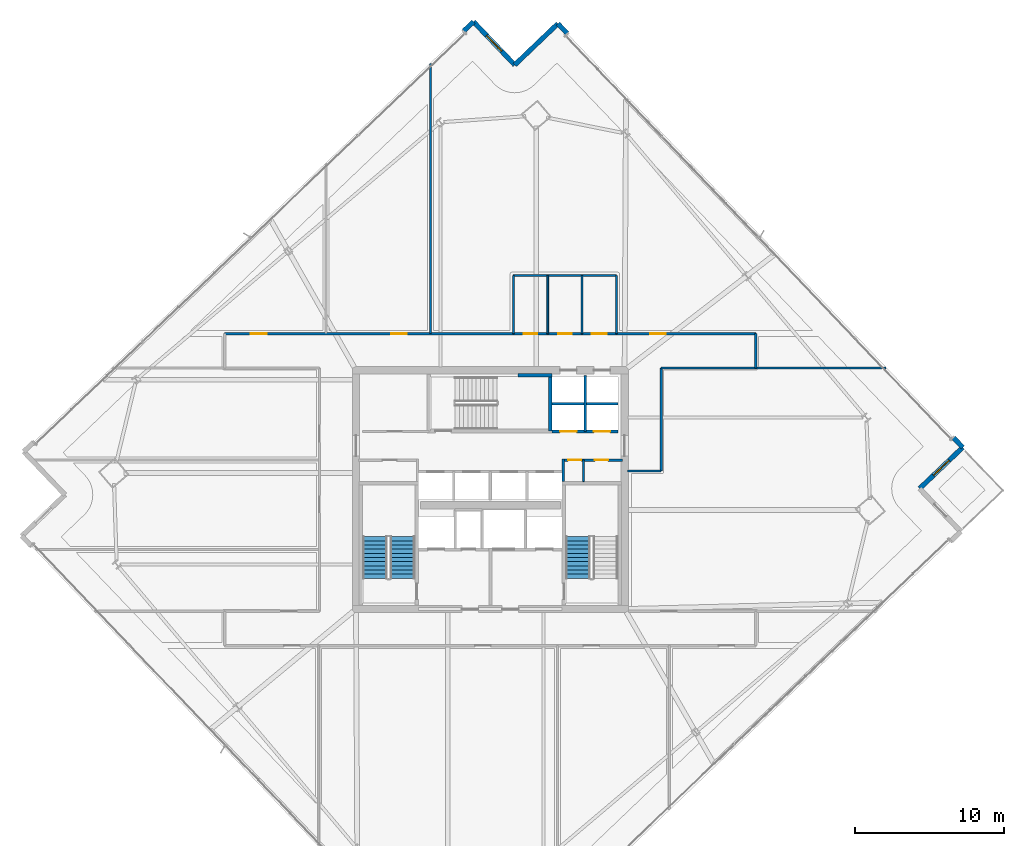
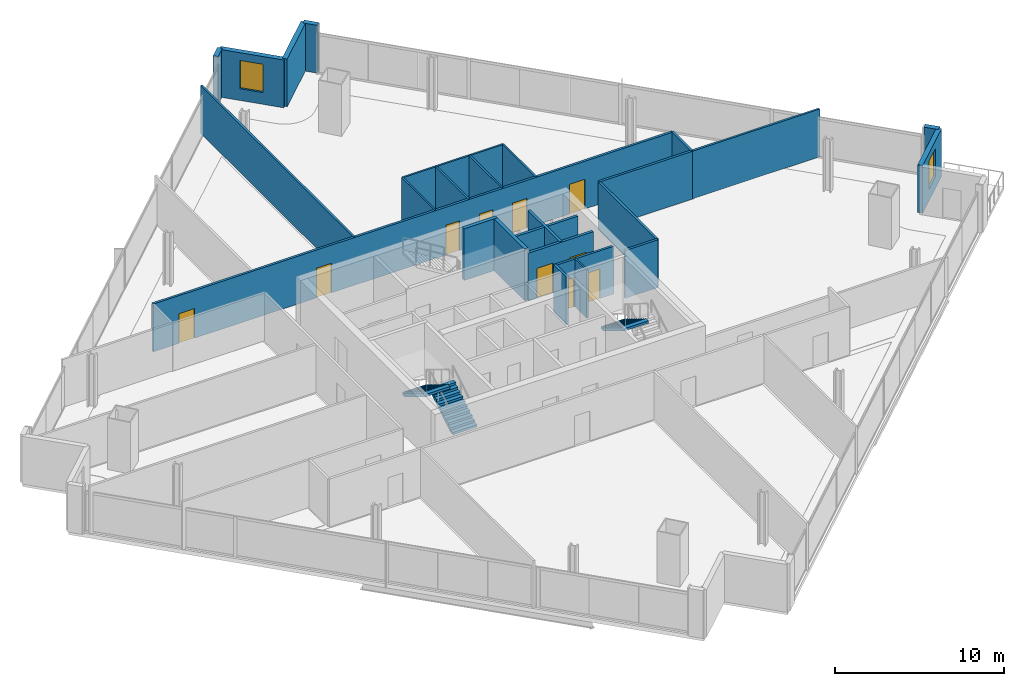
# One storey, part 27 of 33: 26 walls, 10 doors, 3 stair flights, 2 windows, 12 openings, 2 elements without a shape of their own.
"""IFC4 building model written with IfcOpenShell, lengths in metres."""

from ifc_helpers import new_model, si_unit, direction, frame, frame_2d, origin, place, context, subcontext, project, spatial, polyline, rectangle, outline, extrude, material, layer, layer_set, type_object, element, fill, aggregate, save


model = new_model("IFC4")

# Units and contexts
model_context = context("Model", 3, precision=1e-05, world=origin(), true_north=direction((0.0, 1.0)))
body_context = subcontext(model_context, "Body", "Model", "MODEL_VIEW")
ifc_project = project(units=[si_unit("LENGTHUNIT", "METRE"), si_unit("AREAUNIT", "SQUARE_METRE"), si_unit("VOLUMEUNIT", "CUBIC_METRE"), si_unit("PLANEANGLEUNIT", "RADIAN"), si_unit("MASSUNIT", "GRAM", prefix="KILO")], contexts=[model_context])

# Site, building, storey
site_placement = place(None, origin())
site = spatial("IfcSite", under=ifc_project, at=site_placement, CompositionType="ELEMENT")
building_placement = place(site_placement, origin())
building = spatial("IfcBuilding", under=site, at=building_placement, Name="Haldenkirk Collegiate Tower", CompositionType="ELEMENT")
storey_placement = place(building_placement, frame((0.0, 0.0, 174.449951171875)))
storey = spatial("IfcBuildingStorey", under=building, at=storey_placement, Name="L43", CompositionType="ELEMENT", Elevation=174.449951171875)

# Wall, opening, window
ifc_material_1 = material(Name="Precast concrete f'c 40 MPa", Category="concrete")
ifc_layer_1 = layer(ifc_material_1, 0.320068359375)
ifc_layer_set_1 = layer_set([ifc_layer_1], Name="Precast concrete f'c 40 MPa")
wall_type_1 = type_object("IfcWallType", Name="WL-EXT-TWR-320", PredefinedType="STANDARD", material=ifc_layer_set_1)
wall_1_placement = place(storey_placement, frame((67.66259765625, 28.835693359375, 0.0), z_axis=(0.0, 0.0, 1.0), x_axis=(-0.722975787647, -0.690873367902, 0.0)))
wall_1 = element("IfcWall", 1, at=wall_1_placement, inside=storey, type_object=wall_type_1, Name="L43 bronze precast notch wall 03", PredefinedType="STANDARD", context=body_context, shape_type="SweptSolid", body=[
    extrude(rectangle(XDim=4.000244140625, YDim=0.320068359375, at=frame_2d((2.0, 0.0))), origin(), (0.0, 0.0, 1.0), 3.4599609375),
])
opening_1_placement = place(wall_1_placement, frame((1.27490234375, 0.0, 0.85009765625)))
opening_1 = element("IfcOpeningElement", 2, at=opening_1_placement, cuts=wall_1, Name="Opening W-05", PredefinedType="OPENING", context=body_context, shape_type="SweptSolid", body=[
    extrude(rectangle(XDim=1.449951171875, YDim=2.050048828125, at=frame_2d((0.72509765625, 1.02490234375))), frame((0.0, 0.169921875, 0.0), z_axis=(0.0, -1.0, 0.0), x_axis=(1.0, 0.0, 0.0)), (0.0, 0.0, 1.0), 0.340087890625),
])
ifc_material_2 = material(Name="Low-E argon triple insulating glass", Category="glass")
ifc_layer_2 = layer(ifc_material_2, 0.090087890625)
ifc_layer_set_2 = layer_set([ifc_layer_2], Name="Low-E argon triple insulating glass")
window_type = type_object("IfcWindowType", Name="WN-Z3-1450X2050", PartitioningType="SINGLE_PANEL", PredefinedType="WINDOW", material=ifc_layer_set_2)
window_1_placement = place(opening_1_placement, origin())
window_1 = element("IfcWindow", 3, at=window_1_placement, inside=storey, type_object=window_type, Name="L43 precast-frame academic window 2", OverallHeight=2.050048828125, OverallWidth=1.449951171875, PartitioningType="SINGLE_PANEL", PredefinedType="WINDOW", context=body_context, shape_type="SweptSolid", body=[
    extrude(rectangle(XDim=1.449951171875, YDim=2.050048828125, at=frame_2d((0.72509765625, 1.02490234375))), frame((0.0, 0.030029296875, 0.0), z_axis=(0.0, -1.0, 0.0), x_axis=(1.0, 0.0, 0.0)), (0.0, 0.0, 1.0), 0.06005859375),
])
fill(opening_1, window_1)

# Walls
for number, where, z_axis, x_axis, name in (
    (4, (40.528076171875, 57.22998046875, 0.0), (0.0, 0.0, 1.0), (0.690920789475, -0.722930468767, 0.0), "L43 precast corner pier EL"),
    (5, (67.040771484375, 29.486328125, 0.0), (0.0, 0.0, 1.0), (0.690920789475, -0.722930468767, 0.0), "L43 precast corner pier ER"),
):
    element("IfcWall", number, at=place(storey_placement, frame(where, z_axis=z_axis, x_axis=x_axis)), inside=storey, type_object=wall_type_1, Name=name, PredefinedType="STANDARD", context=body_context, shape_type="SweptSolid", body=[
        extrude(rectangle(XDim=0.89990234375, YDim=0.320068359375, at=frame_2d((0.449951171875, 0.0))), origin(), (0.0, 0.0, 1.0), 3.4599609375),
    ])
wall_2_placement = place(storey_placement, frame((37.63623046875, 54.466552734375, 0.0), z_axis=(0.0, 0.0, 1.0), x_axis=(0.722977141356, 0.690871951288, 0.0)))
element("IfcWall", 6, at=wall_2_placement, inside=storey, type_object=wall_type_1, Name="L43 bronze precast notch wall 05", PredefinedType="STANDARD", context=body_context, shape_type="SweptSolid", body=[
    extrude(rectangle(XDim=4.0, YDim=0.320068359375, at=frame_2d((2.0, 0.0))), origin(), (0.0, 0.0, 1.0), 3.4599609375),
])

# Wall, opening, window
wall_3_placement = place(storey_placement, frame((34.872802734375, 57.3583984375, 0.0), z_axis=(0.0, 0.0, 1.0), x_axis=(0.690871951288, -0.722977141356, 0.0)))
wall_3 = element("IfcWall", 7, at=wall_3_placement, inside=storey, type_object=wall_type_1, Name="L43 bronze precast notch wall 06", PredefinedType="STANDARD", context=body_context, shape_type="SweptSolid", body=[
    extrude(rectangle(XDim=4.0, YDim=0.320068359375, at=frame_2d((2.0, 0.0))), origin(), (0.0, 0.0, 1.0), 3.4599609375),
])
opening_2_placement = place(wall_3_placement, frame((1.27490234375, 0.0, 0.85009765625)))
opening_2 = element("IfcOpeningElement", 8, at=opening_2_placement, cuts=wall_3, Name="Opening W-05", PredefinedType="OPENING", context=body_context, shape_type="SweptSolid", body=[
    extrude(rectangle(XDim=1.449951171875, YDim=2.050048828125, at=frame_2d((0.72509765625, 1.02490234375))), frame((0.0, 0.169921875, 0.0), z_axis=(0.0, -1.0, 0.0), x_axis=(1.0, 0.0, 0.0)), (0.0, 0.0, 1.0), 0.340087890625),
])
window_2_placement = place(opening_2_placement, origin())
window_2 = element("IfcWindow", 9, at=window_2_placement, inside=storey, type_object=window_type, Name="L43 precast-frame academic window 5", OverallHeight=2.050048828125, OverallWidth=1.449951171875, PartitioningType="SINGLE_PANEL", PredefinedType="WINDOW", context=body_context, shape_type="SweptSolid", body=[
    extrude(rectangle(XDim=1.449951171875, YDim=2.050048828125, at=frame_2d((0.72509765625, 1.02490234375))), frame((0.0, 0.030029296875, 0.0), z_axis=(0.0, -1.0, 0.0), x_axis=(1.0, 0.0, 0.0)), (0.0, 0.0, 1.0), 0.06005859375),
])
fill(opening_2, window_2)

# Wall
wall_4_placement = place(storey_placement, frame((34.221923828125, 56.73681640625, 0.0), z_axis=(0.0, 0.0, 1.0), x_axis=(0.723195404384, 0.690643473203, 0.0)))
element("IfcWall", 10, at=wall_4_placement, inside=storey, type_object=wall_type_1, Name="L43 precast corner pier NR", PredefinedType="STANDARD", context=body_context, shape_type="SweptSolid", body=[
    extrude(rectangle(XDim=0.89990234375, YDim=0.320068359375, at=frame_2d((0.449951171875, 0.0))), origin(), (0.0, 0.0, 1.0), 3.4599609375),
])

# Wall, openings, doors
ifc_material_3 = material(Name="Acoustic fire-rated gypsum partition", Category="concrete")
ifc_layer_3 = layer(ifc_material_3, 0.159912109375)
ifc_layer_set_3 = layer_set([ifc_layer_3], Name="Acoustic fire-rated gypsum partition")
wall_type_2 = type_object("IfcWallType", Name="WL-INT-CORR-160", PredefinedType="PARTITIONING", material=ifc_layer_set_3)
wall_5_placement = place(storey_placement, frame((40.800048828125, 27.97998046875, 0.0), z_axis=(0.0, 0.0, 1.0), x_axis=(1.0, 0.0, 0.0)))
wall_5 = element("IfcWall", 11, at=wall_5_placement, inside=storey, type_object=wall_type_2, Name="L43 interior partition IW-L43-VCSE-N", PredefinedType="PARTITIONING", context=body_context, shape_type="SweptSolid", body=[
    extrude(rectangle(XDim=4.050048828125, YDim=0.159912109375, at=frame_2d((2.02490234375, 0.0))), origin(), (0.0, 0.0, 1.0), 3.4599609375),
])
opening_3_placement = place(wall_5_placement, frame((0.407470703125, 0.0, 0.0)))
opening_3 = element("IfcOpeningElement", 12, at=opening_3_placement, cuts=wall_5, Name="Opening D-11", PredefinedType="OPENING", context=body_context, shape_type="SweptSolid", body=[
    extrude(rectangle(XDim=0.89990234375, YDim=2.14990234375, at=frame_2d((0.449951171875, 1.074951171875))), frame((0.0, 0.08984375, 0.0), z_axis=(0.0, -1.0, 0.0), x_axis=(1.0, 0.0, 0.0)), (0.0, 0.0, 1.0), 0.179931640625),
])
opening_4_placement = place(wall_5_placement, frame((2.199951171875, 0.0, 0.0)))
opening_4 = element("IfcOpeningElement", 13, at=opening_4_placement, cuts=wall_5, Name="Opening D-11", PredefinedType="OPENING", context=body_context, shape_type="SweptSolid", body=[
    extrude(rectangle(XDim=0.89990234375, YDim=2.14990234375, at=frame_2d((0.449951171875, 1.074951171875))), frame((0.0, 0.08984375, 0.0), z_axis=(0.0, -1.0, 0.0), x_axis=(1.0, 0.0, 0.0)), (0.0, 0.0, 1.0), 0.179931640625),
])
ifc_material_4 = material(Name="Solid-core architectural oak fire door", Category="wood")
ifc_layer_4 = layer(ifc_material_4, 0.06005859375)
ifc_layer_set_4 = layer_set([ifc_layer_4], Name="Solid-core architectural oak fire door")
door_type_1 = type_object("IfcDoorType", Name="DR-INT-FD60-900", OperationType="NOTDEFINED", PredefinedType="DOOR", material=ifc_layer_set_4)
door_1_placement = place(opening_3_placement, origin())
door_1 = element("IfcDoor", 14, at=door_1_placement, inside=storey, type_object=door_type_1, Name="L43 core copy room door", OperationType="SINGLE_SWING_RIGHT", OverallHeight=2.14990234375, OverallWidth=0.89990234375, PredefinedType="DOOR", context=body_context, shape_type="SweptSolid", body=[
    extrude(rectangle(XDim=0.89990234375, YDim=2.14990234375, at=frame_2d((0.449951171875, 1.074951171875))), frame((0.0, 0.02490234375, 0.0), z_axis=(0.0, -1.0, 0.0), x_axis=(1.0, 0.0, 0.0)), (0.0, 0.0, 1.0), 0.050048828125),
])
fill(opening_3, door_1)
door_2_placement = place(opening_4_placement, origin())
door_2 = element("IfcDoor", 15, at=door_2_placement, inside=storey, type_object=door_type_1, Name="L43 core records store door", OperationType="SINGLE_SWING_LEFT", OverallHeight=2.14990234375, OverallWidth=0.89990234375, PredefinedType="DOOR", context=body_context, shape_type="SweptSolid", body=[
    extrude(rectangle(XDim=0.89990234375, YDim=2.14990234375, at=frame_2d((0.449951171875, 1.074951171875))), frame((0.0, 0.02490234375, 0.0), z_axis=(0.0, -1.0, 0.0), x_axis=(1.0, 0.0, 0.0)), (0.0, 0.0, 1.0), 0.050048828125),
])
fill(opening_4, door_2)

# Wall
wall_6_placement = place(storey_placement, frame((40.8798828125, 26.5400390625, 0.0), z_axis=(0.0, 0.0, 1.0), x_axis=(0.0, 1.0, 0.0)))
element("IfcWall", 16, at=wall_6_placement, inside=storey, type_object=wall_type_2, Name="L43 interior partition IW-L43-VCSE-W", PredefinedType="PARTITIONING", context=body_context, shape_type="SweptSolid", body=[
    extrude(rectangle(XDim=1.510009765625, YDim=0.159912109375, at=frame_2d((0.7548828125, 0.0))), origin(), (0.0, 0.0, 1.0), 3.4599609375),
])

# Wall, openings, doors
wall_7_placement = place(storey_placement, frame((18.199951171875, 36.449951171875, 0.0), z_axis=(0.0, 0.0, 1.0), x_axis=(1.0, 0.0, 0.0)))
wall_7 = element("IfcWall", 17, at=wall_7_placement, inside=storey, type_object=wall_type_2, Name="L43 interior partition IW-L43-CN", PredefinedType="PARTITIONING", context=body_context, shape_type="SweptSolid", body=[
    extrude(rectangle(XDim=35.60009765625, YDim=0.159912109375, at=frame_2d((17.800048828125, 0.0))), origin(), (0.0, 0.0, 1.0), 3.4599609375),
])
opening_5_placement = place(wall_7_placement, frame((20.050048828125, 0.0, 0.0)))
opening_5 = element("IfcOpeningElement", 18, at=opening_5_placement, cuts=wall_7, Name="Opening D-13", PredefinedType="OPENING", context=body_context, shape_type="SweptSolid", body=[
    extrude(rectangle(XDim=0.89990234375, YDim=2.14990234375, at=frame_2d((0.449951171875, 1.074951171875))), frame((0.0, 0.08984375, 0.0), z_axis=(0.0, -1.0, 0.0), x_axis=(1.0, 0.0, 0.0)), (0.0, 0.0, 1.0), 0.179931640625),
])
opening_6_placement = place(wall_7_placement, frame((22.35009765625, 0.0, 0.0)))
opening_6 = element("IfcOpeningElement", 19, at=opening_6_placement, cuts=wall_7, Name="Opening D-13", PredefinedType="OPENING", context=body_context, shape_type="SweptSolid", body=[
    extrude(rectangle(XDim=0.89990234375, YDim=2.14990234375, at=frame_2d((0.449951171875, 1.074951171875))), frame((0.0, 0.08984375, 0.0), z_axis=(0.0, -1.0, 0.0), x_axis=(1.0, 0.0, 0.0)), (0.0, 0.0, 1.0), 0.179931640625),
])
opening_7_placement = place(wall_7_placement, frame((24.60009765625, 0.0, 0.0)))
opening_7 = element("IfcOpeningElement", 20, at=opening_7_placement, cuts=wall_7, Name="Opening D-14", PredefinedType="OPENING", context=body_context, shape_type="SweptSolid", body=[
    extrude(rectangle(XDim=1.0, YDim=2.14990234375, at=frame_2d((0.5, 1.074951171875))), frame((0.0, 0.08984375, 0.0), z_axis=(0.0, -1.0, 0.0), x_axis=(1.0, 0.0, 0.0)), (0.0, 0.0, 1.0), 0.179931640625),
])
opening_8_placement = place(wall_7_placement, frame((1.757080078125, 0.0, 0.0)))
opening_8 = element("IfcOpeningElement", 21, at=opening_8_placement, cuts=wall_7, Name="Opening D-09", PredefinedType="OPENING", context=body_context, shape_type="SweptSolid", body=[
    extrude(rectangle(XDim=1.050048828125, YDim=2.14990234375, at=frame_2d((0.52490234375, 1.074951171875))), frame((0.0, 0.08984375, 0.0), z_axis=(0.0, -1.0, 0.0), x_axis=(1.0, 0.0, 0.0)), (0.0, 0.0, 1.0), 0.179931640625),
])
opening_9_placement = place(wall_7_placement, frame((11.155029296875, 0.0, 0.0)))
opening_9 = element("IfcOpeningElement", 22, at=opening_9_placement, cuts=wall_7, Name="Opening D-09", PredefinedType="OPENING", context=body_context, shape_type="SweptSolid", body=[
    extrude(rectangle(XDim=1.050048828125, YDim=2.14990234375, at=frame_2d((0.52490234375, 1.074951171875))), frame((0.0, 0.08984375, 0.0), z_axis=(0.0, -1.0, 0.0), x_axis=(1.0, 0.0, 0.0)), (0.0, 0.0, 1.0), 0.179931640625),
])
opening_10_placement = place(wall_7_placement, frame((28.5048828125, 0.0, 0.0)))
opening_10 = element("IfcOpeningElement", 23, at=opening_10_placement, cuts=wall_7, Name="Opening D-09", PredefinedType="OPENING", context=body_context, shape_type="SweptSolid", body=[
    extrude(rectangle(XDim=1.050048828125, YDim=2.14990234375, at=frame_2d((0.52490234375, 1.074951171875))), frame((0.0, 0.08984375, 0.0), z_axis=(0.0, -1.0, 0.0), x_axis=(1.0, 0.0, 0.0)), (0.0, 0.0, 1.0), 0.179931640625),
])
ifc_layer_5 = layer(ifc_material_4, 0.06005859375)
ifc_layer_set_5 = layer_set([ifc_layer_5], Name="Solid-core architectural oak fire door")
door_type_2 = type_object("IfcDoorType", Name="DR-INT-ACC-1000", OperationType="NOTDEFINED", PredefinedType="DOOR", material=ifc_layer_set_5)
door_3_placement = place(opening_7_placement, origin())
door_3 = element("IfcDoor", 24, at=door_3_placement, inside=storey, type_object=door_type_2, Name="L43 Accessible WC door", OperationType="SINGLE_SWING_LEFT", OverallHeight=2.14990234375, OverallWidth=1.0, PredefinedType="DOOR", context=body_context, shape_type="SweptSolid", body=[
    extrude(rectangle(XDim=1.0, YDim=2.14990234375, at=frame_2d((0.5, 1.074951171875))), frame((0.0, 0.02490234375, 0.0), z_axis=(0.0, -1.0, 0.0), x_axis=(1.0, 0.0, 0.0)), (0.0, 0.0, 1.0), 0.050048828125),
])
fill(opening_7, door_3)
ifc_layer_6 = layer(ifc_material_4, 0.06005859375)
ifc_layer_set_6 = layer_set([ifc_layer_6], Name="Solid-core architectural oak fire door")
door_type_3 = type_object("IfcDoorType", Name="DR-INT-FD60-1050", OperationType="NOTDEFINED", PredefinedType="DOOR", material=ifc_layer_set_6)
door_4_placement = place(opening_8_placement, origin())
door_4 = element("IfcDoor", 25, at=door_4_placement, inside=storey, type_object=door_type_3, Name="L43 Research Office 5 door", OperationType="SINGLE_SWING_RIGHT", OverallHeight=2.14990234375, OverallWidth=1.050048828125, PredefinedType="DOOR", context=body_context, shape_type="SweptSolid", body=[
    extrude(rectangle(XDim=1.050048828125, YDim=2.14990234375, at=frame_2d((0.52490234375, 1.074951171875))), frame((0.0, 0.02490234375, 0.0), z_axis=(0.0, -1.0, 0.0), x_axis=(1.0, 0.0, 0.0)), (0.0, 0.0, 1.0), 0.050048828125),
])
fill(opening_8, door_4)
door_5_placement = place(opening_9_placement, origin())
door_5 = element("IfcDoor", 26, at=door_5_placement, inside=storey, type_object=door_type_3, Name="L43 Doctoral Office 6 door", OperationType="SINGLE_SWING_LEFT", OverallHeight=2.14990234375, OverallWidth=1.050048828125, PredefinedType="DOOR", context=body_context, shape_type="SweptSolid", body=[
    extrude(rectangle(XDim=1.050048828125, YDim=2.14990234375, at=frame_2d((0.52490234375, 1.074951171875))), frame((0.0, 0.02490234375, 0.0), z_axis=(0.0, -1.0, 0.0), x_axis=(1.0, 0.0, 0.0)), (0.0, 0.0, 1.0), 0.050048828125),
])
fill(opening_9, door_5)
door_6_placement = place(opening_10_placement, origin())
door_6 = element("IfcDoor", 27, at=door_6_placement, inside=storey, type_object=door_type_3, Name="L43 Wet Science Laboratory 7 door", OperationType="SINGLE_SWING_RIGHT", OverallHeight=2.14990234375, OverallWidth=1.050048828125, PredefinedType="DOOR", context=body_context, shape_type="SweptSolid", body=[
    extrude(rectangle(XDim=1.050048828125, YDim=2.14990234375, at=frame_2d((0.52490234375, 1.074951171875))), frame((0.0, 0.02490234375, 0.0), z_axis=(0.0, -1.0, 0.0), x_axis=(1.0, 0.0, 0.0)), (0.0, 0.0, 1.0), 0.050048828125),
])
fill(opening_10, door_6)
ifc_layer_7 = layer(ifc_material_4, 0.06005859375)
ifc_layer_set_7 = layer_set([ifc_layer_7], Name="Solid-core architectural oak fire door")
door_type_4 = type_object("IfcDoorType", Name="DR-INT-STD-900", OperationType="NOTDEFINED", PredefinedType="DOOR", material=ifc_layer_set_7)
door_7_placement = place(opening_5_placement, origin())
door_7 = element("IfcDoor", 28, at=door_7_placement, inside=storey, type_object=door_type_4, Name="L43 Male WC door", OperationType="SINGLE_SWING_LEFT", OverallHeight=2.14990234375, OverallWidth=0.89990234375, PredefinedType="DOOR", context=body_context, shape_type="SweptSolid", body=[
    extrude(rectangle(XDim=0.89990234375, YDim=2.14990234375, at=frame_2d((0.449951171875, 1.074951171875))), frame((0.0, 0.02490234375, 0.0), z_axis=(0.0, -1.0, 0.0), x_axis=(1.0, 0.0, 0.0)), (0.0, 0.0, 1.0), 0.050048828125),
])
fill(opening_5, door_7)
door_8_placement = place(opening_6_placement, origin())
door_8 = element("IfcDoor", 29, at=door_8_placement, inside=storey, type_object=door_type_4, Name="L43 Female WC door", OperationType="SINGLE_SWING_RIGHT", OverallHeight=2.14990234375, OverallWidth=0.89990234375, PredefinedType="DOOR", context=body_context, shape_type="SweptSolid", body=[
    extrude(rectangle(XDim=0.89990234375, YDim=2.14990234375, at=frame_2d((0.449951171875, 1.074951171875))), frame((0.0, 0.02490234375, 0.0), z_axis=(0.0, -1.0, 0.0), x_axis=(1.0, 0.0, 0.0)), (0.0, 0.0, 1.0), 0.050048828125),
])
fill(opening_6, door_8)

# Walls
wall_8_placement = place(storey_placement, frame((47.449951171875, 34.14990234375, 0.0), z_axis=(0.0, 0.0, 1.0), x_axis=(1.0, 0.0, 0.0)))
element("IfcWall", 30, at=wall_8_placement, inside=storey, type_object=wall_type_2, Name="L43 interior partition IW-L43-CNE", PredefinedType="PARTITIONING", context=body_context, shape_type="SweptSolid", body=[
    extrude(rectangle(XDim=6.35009765625, YDim=0.159912109375, at=frame_2d((3.175048828125, 0.0))), origin(), (0.0, 0.0, 1.0), 3.4599609375),
])
wall_9_placement = place(storey_placement, frame((47.449951171875, 27.25, 0.0), z_axis=(0.0, 0.0, 1.0), x_axis=(0.0, 1.0, 0.0)))
element("IfcWall", 31, at=wall_9_placement, inside=storey, type_object=wall_type_2, Name="L43 interior partition IW-L43-CE", PredefinedType="PARTITIONING", context=body_context, shape_type="SweptSolid", body=[
    extrude(rectangle(XDim=6.89990234375, YDim=0.159912109375, at=frame_2d((3.449951171875, 0.0))), origin(), (0.0, 0.0, 1.0), 3.4599609375),
])
wall_10_placement = place(storey_placement, frame((45.199951171875, 27.25, 0.0), z_axis=(0.0, 0.0, 1.0), x_axis=(1.0, 0.0, 0.0)))
element("IfcWall", 32, at=wall_10_placement, inside=storey, type_object=wall_type_2, Name="L43 interior partition IW-L43-CES", PredefinedType="PARTITIONING", context=body_context, shape_type="SweptSolid", body=[
    extrude(rectangle(XDim=2.25, YDim=0.159912109375, at=frame_2d((1.125, 0.0))), origin(), (0.0, 0.0, 1.0), 3.4599609375),
])
wall_11_placement = place(storey_placement, frame((53.800048828125, 34.14990234375, 0.0), z_axis=(0.0, 0.0, 1.0), x_axis=(0.0, 1.0, 0.0)))
element("IfcWall", 33, at=wall_11_placement, inside=storey, type_object=wall_type_2, Name="L43 interior partition IW-L43-CNR", PredefinedType="PARTITIONING", context=body_context, shape_type="SweptSolid", body=[
    extrude(rectangle(XDim=2.300048828125, YDim=0.159912109375, at=frame_2d((1.14990234375, 0.0))), origin(), (0.0, 0.0, 1.0), 3.4599609375),
])
ifc_layer_8 = layer(ifc_material_3, 0.139892578125)
ifc_layer_set_8 = layer_set([ifc_layer_8], Name="Acoustic fire-rated gypsum partition")
wall_type_3 = type_object("IfcWallType", Name="WL-INT-DIV-140", PredefinedType="PARTITIONING", material=ifc_layer_set_8)
wall_12_placement = place(storey_placement, frame((53.800048828125, 34.14990234375, 0.0), z_axis=(0.0, 0.0, 1.0), x_axis=(1.0, 0.0, 0.0)))
element("IfcWall", 34, at=wall_12_placement, inside=storey, type_object=wall_type_3, Name="L43 interior partition IW-L43-BEN", PredefinedType="PARTITIONING", context=body_context, shape_type="SweptSolid", body=[
    extrude(rectangle(XDim=8.728515625, YDim=0.139892578125, at=frame_2d((4.3642578125, 0.0))), origin(), (0.0, 0.0, 1.0), 3.4599609375),
])
wall_13_placement = place(storey_placement, frame((32.0, 36.449951171875, 0.0), z_axis=(0.0, 0.0, 1.0), x_axis=(0.0, 1.0, 0.0)))
element("IfcWall", 35, at=wall_13_placement, inside=storey, type_object=wall_type_3, Name="L43 interior partition IW-L43-RN2", PredefinedType="PARTITIONING", context=body_context, shape_type="SweptSolid", body=[
    extrude(rectangle(XDim=18.108154296875, YDim=0.139892578125, at=frame_2d((9.05419921875, 0.0))), origin(), (0.0, 0.0, 1.0), 3.4599609375),
])

# Wall, openings, doors
ifc_material_5 = material(Name="Fire-rated gypsum shaftboard assembly", Category="concrete")
ifc_layer_9 = layer(ifc_material_5, 0.179931640625)
ifc_layer_set_9 = layer_set([ifc_layer_9], Name="Fire-rated gypsum shaftboard assembly")
wall_type_4 = type_object("IfcWallType", Name="WL-INT-SHAFT-180", PredefinedType="PARTITIONING", material=ifc_layer_set_9)
wall_14_placement = place(storey_placement, frame((40.1201171875, 29.89990234375, 0.0), z_axis=(0.0, 0.0, 1.0), x_axis=(1.0, 0.0, 0.0)))
wall_14 = element("IfcWall", 36, at=wall_14_placement, inside=storey, type_object=wall_type_4, Name="L43 interior partition IW-L43-PMS", PredefinedType="PARTITIONING", context=body_context, shape_type="SweptSolid", body=[
    extrude(rectangle(XDim=4.429931640625, YDim=0.179931640625, at=frame_2d((2.21484375, 0.0))), origin(), (0.0, 0.0, 1.0), 3.4599609375),
])
opening_11_placement = place(wall_14_placement, frame((0.56494140625, 0.0, 0.0)))
opening_11 = element("IfcOpeningElement", 37, at=opening_11_placement, cuts=wall_14, Name="Opening LD-11", PredefinedType="OPENING", context=body_context, shape_type="SweptSolid", body=[
    extrude(rectangle(XDim=1.10009765625, YDim=2.14990234375, at=frame_2d((0.550048828125, 1.074951171875))), frame((0.0, 0.099853515625, 0.0), z_axis=(0.0, -1.0, 0.0), x_axis=(1.0, 0.0, 0.0)), (0.0, 0.0, 1.0), 0.199951171875),
])
opening_12_placement = place(wall_14_placement, frame((2.81494140625, 0.0, 0.0)))
opening_12 = element("IfcOpeningElement", 38, at=opening_12_placement, cuts=wall_14, Name="Opening LD-11", PredefinedType="OPENING", context=body_context, shape_type="SweptSolid", body=[
    extrude(rectangle(XDim=1.10009765625, YDim=2.14990234375, at=frame_2d((0.550048828125, 1.074951171875))), frame((0.0, 0.099853515625, 0.0), z_axis=(0.0, -1.0, 0.0), x_axis=(1.0, 0.0, 0.0)), (0.0, 0.0, 1.0), 0.199951171875),
])
ifc_material_6 = material(Name="Brushed architectural stainless steel", Category="steel")
ifc_layer_10 = layer(ifc_material_6, 0.06005859375)
ifc_layer_set_10 = layer_set([ifc_layer_10], Name="Brushed architectural stainless steel")
door_type_5 = type_object("IfcDoorType", Name="LD-PASS-1100", OperationType="NOTDEFINED", PredefinedType="DOOR", material=ifc_layer_set_10)
door_9_placement = place(opening_11_placement, origin())
door_9 = element("IfcDoor", 39, at=door_9_placement, inside=storey, type_object=door_type_5, Name="L43 Elevator PM1 sliding landing door", OperationType="SLIDING_TO_LEFT", OverallHeight=2.14990234375, OverallWidth=1.10009765625, PredefinedType="DOOR", context=body_context, shape_type="SweptSolid", body=[
    extrude(rectangle(XDim=1.10009765625, YDim=2.14990234375, at=frame_2d((0.550048828125, 1.074951171875))), frame((0.0, 0.02490234375, 0.0), z_axis=(0.0, -1.0, 0.0), x_axis=(1.0, 0.0, 0.0)), (0.0, 0.0, 1.0), 0.050048828125),
])
fill(opening_11, door_9)
door_10_placement = place(opening_12_placement, origin())
door_10 = element("IfcDoor", 40, at=door_10_placement, inside=storey, type_object=door_type_5, Name="L43 Elevator PM2 sliding landing door", OperationType="SLIDING_TO_LEFT", OverallHeight=2.14990234375, OverallWidth=1.10009765625, PredefinedType="DOOR", context=body_context, shape_type="SweptSolid", body=[
    extrude(rectangle(XDim=1.10009765625, YDim=2.14990234375, at=frame_2d((0.550048828125, 1.074951171875))), frame((0.0, 0.02490234375, 0.0), z_axis=(0.0, -1.0, 0.0), x_axis=(1.0, 0.0, 0.0)), (0.0, 0.0, 1.0), 0.050048828125),
])
fill(opening_12, door_10)

# Walls
wall_15_placement = place(storey_placement, frame((40.1201171875, 31.75, 0.0), z_axis=(0.0, 0.0, 1.0), x_axis=(1.0, 0.0, 0.0)))
element("IfcWall", 41, at=wall_15_placement, inside=storey, type_object=wall_type_4, Name="L43 interior partition IW-L43-PMM", PredefinedType="PARTITIONING", context=body_context, shape_type="SweptSolid", body=[
    extrude(rectangle(XDim=4.429931640625, YDim=0.179931640625, at=frame_2d((2.21484375, 0.0))), origin(), (0.0, 0.0, 1.0), 3.4599609375),
])
wall_16_placement = place(storey_placement, frame((42.3701171875, 29.89990234375, 0.0), z_axis=(0.0, 0.0, 1.0), x_axis=(0.0, 1.0, 0.0)))
element("IfcWall", 42, at=wall_16_placement, inside=storey, type_object=wall_type_4, Name="L43 interior partition IW-L43-PMV", PredefinedType="PARTITIONING", context=body_context, shape_type="SweptSolid", body=[
    extrude(rectangle(XDim=3.75, YDim=0.179931640625, at=frame_2d((1.875, 0.0))), origin(), (0.0, 0.0, 1.0), 3.4599609375),
])
ifc_layer_11 = layer(ifc_material_3, 0.1201171875)
ifc_layer_set_11 = layer_set([ifc_layer_11], Name="Acoustic fire-rated gypsum partition")
wall_type_5 = type_object("IfcWallType", Name="WL-INT-WET-120", PredefinedType="PARTITIONING", material=ifc_layer_set_11)
wall_17_placement = place(storey_placement, frame((42.25, 26.5400390625, 0.0), z_axis=(0.0, 0.0, 1.0), x_axis=(0.0, 1.0, 0.0)))
element("IfcWall", 43, at=wall_17_placement, inside=storey, type_object=wall_type_5, Name="L43 interior partition IW-L43-VCSE-M", PredefinedType="PARTITIONING", context=body_context, shape_type="SweptSolid", body=[
    extrude(rectangle(XDim=1.43994140625, YDim=0.1201171875, at=frame_2d((0.719970703125, 0.0))), origin(), (0.0, 0.0, 1.0), 3.4599609375),
])
for number, where, z_axis, x_axis, name in (
    (44, (37.550048828125, 36.449951171875, 0.0), (0.0, 0.0, 1.0), (0.0, 1.0, 0.0), "L43 interior partition IW-L43-WCW"),
    (45, (39.85009765625, 36.449951171875, 0.0), (0.0, 0.0, 1.0), (0.0, 1.0, 0.0), "L43 interior partition IW-L43-WC1"),
    (46, (42.14990234375, 36.449951171875, 0.0), (0.0, 0.0, 1.0), (0.0, 1.0, 0.0), "L43 interior partition IW-L43-WC2"),
    (47, (44.449951171875, 36.449951171875, 0.0), (0.0, 0.0, 1.0), (0.0, 1.0, 0.0), "L43 interior partition IW-L43-WCE"),
):
    element("IfcWall", number, at=place(storey_placement, frame(where, z_axis=z_axis, x_axis=x_axis)), inside=storey, type_object=wall_type_5, Name=name, PredefinedType="PARTITIONING", context=body_context, shape_type="SweptSolid", body=[
        extrude(rectangle(XDim=3.900146484375, YDim=0.1201171875, at=frame_2d((1.9501953125, 0.0))), origin(), (0.0, 0.0, 1.0), 3.4599609375),
    ])
wall_18_placement = place(storey_placement, frame((37.550048828125, 40.35009765625, 0.0), z_axis=(0.0, 0.0, 1.0), x_axis=(1.0, 0.0, 0.0)))
element("IfcWall", 48, at=wall_18_placement, inside=storey, type_object=wall_type_5, Name="L43 interior partition IW-L43-WCB", PredefinedType="PARTITIONING", context=body_context, shape_type="SweptSolid", body=[
    extrude(rectangle(XDim=6.89990234375, YDim=0.1201171875, at=frame_2d((3.449951171875, 0.0))), origin(), (0.0, 0.0, 1.0), 3.4599609375),
])
ifc_material_7 = material(Name="Concrete f'c 55 MPa", Category="concrete")
ifc_layer_12 = layer(ifc_material_7, 0.239990234375)
ifc_layer_set_12 = layer_set([ifc_layer_12], Name="Concrete f'c 55 MPa")
wall_type_6 = type_object("IfcWallType", Name="WL-SHAFT-240", PredefinedType="SHEAR", material=ifc_layer_set_12)
wall_19_placement = place(storey_placement, frame((40.02001953125, 29.929931640625, 0.0), z_axis=(0.0, 0.0, 1.0), x_axis=(0.0, 1.0, 0.0)))
element("IfcWall", 49, at=wall_19_placement, inside=storey, type_object=wall_type_6, Name="L43 stair shaft shear wall SW-L43-ST3E", PredefinedType="SHEAR", context=body_context, shape_type="SweptSolid", body=[
    extrude(rectangle(XDim=3.85009765625, YDim=0.239990234375, at=frame_2d((1.925048828125, 0.0))), origin(), (0.0, 0.0, 1.0), 3.75),
])
wall_20_placement = place(storey_placement, frame((37.85009765625, 33.659912109375, 0.0), z_axis=(0.0, 0.0, 1.0), x_axis=(1.0, 0.0, 0.0)))
element("IfcWall", 50, at=wall_20_placement, inside=storey, type_object=wall_type_6, Name="L43 stair shaft shear wall SW-L43-ST3N", PredefinedType="SHEAR", context=body_context, shape_type="SweptSolid", body=[
    extrude(rectangle(XDim=2.289794921875, YDim=0.239990234375, at=frame_2d((1.14501953125, 0.0))), origin(), (0.0, 0.0, 1.0), 3.75),
])

# Stair, stair flights
ifc_material_8 = material(Name="Concrete f'c 40 MPa", Category="concrete")
stair_type = type_object("IfcStairType", Name="STR-DOGLEG-1650", PredefinedType="HALF_TURN_STAIR", material=ifc_material_8)
stair_1_placement = place(storey_placement, origin())
stair_1 = element("IfcStair", 51, at=stair_1_placement, inside=storey, type_object=stair_type, Name="L43 Core Exit Stair ST-1", PredefinedType="HALF_TURN_STAIR")
stair_flight_type = type_object("IfcStairFlightType", Name="STF-FLIGHT-1650", PredefinedType="STRAIGHT", material=ifc_material_8)
stair_flight_1_placement = place(storey_placement, frame((30.125, 20.050048828125, 0.0), z_axis=(0.0, 0.0, 1.0), x_axis=(0.0, 1.0, 0.0)))
stair_flight_1 = element("IfcStairFlight", 52, at=stair_flight_1_placement, type_object=stair_flight_type, Name="ST-1 flight 1", NumberOfRisers=11, NumberOfTreads=10, PredefinedType="STRAIGHT", RiserHeight=0.170454545, TreadLength=0.28, context=body_context, shape_type="SweptSolid", body=[
    extrude(outline(polyline([(0.0, 0.0), (0.0, 0.17041015625), (0.280029296875, 0.17041015625), (0.280029296875, 0.3408203125), (0.56005859375, 0.3408203125), (0.56005859375, 0.511474609375), (0.840087890625, 0.511474609375), (0.840087890625, 0.681884765625), (1.1201171875, 0.681884765625), (1.1201171875, 0.852294921875), (1.39990234375, 0.852294921875), (1.39990234375, 1.022705078125), (1.679931640625, 1.022705078125), (1.679931640625, 1.193115234375), (1.9599609375, 1.193115234375), (1.9599609375, 1.363525390625), (2.239990234375, 1.363525390625), (2.239990234375, 1.5341796875), (2.52001953125, 1.5341796875), (2.52001953125, 1.70458984375), (2.800048828125, 1.70458984375), (2.800048828125, 1.875), (2.800048828125, 1.529052734375), (0.288330078125, 0.0), (0.0, 0.0)])), frame((0.0, 0.824951171875, 0.0), z_axis=(0.0, -1.0, 0.0), x_axis=(1.0, 0.0, 0.0)), (0.0, 0.0, 1.0), 1.64990234375),
])
stair_flight_2_placement = place(storey_placement, frame((28.27490234375, 22.85009765625, 1.875), z_axis=(0.0, 0.0, 1.0), x_axis=(0.0, -1.0, 0.0)))
stair_flight_2 = element("IfcStairFlight", 53, at=stair_flight_2_placement, type_object=stair_flight_type, Name="ST-1 flight 2", NumberOfRisers=11, NumberOfTreads=10, PredefinedType="STRAIGHT", RiserHeight=0.170454545, TreadLength=0.28, context=body_context, shape_type="SweptSolid", body=[
    extrude(outline(polyline([(0.0, 0.0), (0.0, 0.17041015625), (0.280029296875, 0.17041015625), (0.280029296875, 0.3408203125), (0.56005859375, 0.3408203125), (0.56005859375, 0.511474609375), (0.840087890625, 0.511474609375), (0.840087890625, 0.681884765625), (1.1201171875, 0.681884765625), (1.1201171875, 0.852294921875), (1.39990234375, 0.852294921875), (1.39990234375, 1.022705078125), (1.679931640625, 1.022705078125), (1.679931640625, 1.193115234375), (1.9599609375, 1.193115234375), (1.9599609375, 1.363525390625), (2.239990234375, 1.363525390625), (2.239990234375, 1.5341796875), (2.52001953125, 1.5341796875), (2.52001953125, 1.70458984375), (2.800048828125, 1.70458984375), (2.800048828125, 1.875), (2.800048828125, 1.529052734375), (0.288330078125, 0.0), (0.0, 0.0)])), frame((0.0, 0.824951171875, 0.0), z_axis=(0.0, -1.0, 0.0), x_axis=(1.0, 0.0, 0.0)), (0.0, 0.0, 1.0), 1.64990234375),
])
aggregate(stair_1, [stair_flight_1, stair_flight_2])

# Stair, stair flight
stair_2_placement = place(storey_placement, origin())
stair_2 = element("IfcStair", 54, at=stair_2_placement, inside=storey, type_object=stair_type, Name="L43 Core Exit Stair ST-2", PredefinedType="HALF_TURN_STAIR")
stair_flight_3_placement = place(storey_placement, frame((41.875, 22.85009765625, 1.875), z_axis=(0.0, 0.0, 1.0), x_axis=(0.0, -1.0, 0.0)))
stair_flight_3 = element("IfcStairFlight", 55, at=stair_flight_3_placement, type_object=stair_flight_type, Name="ST-2 flight 2", NumberOfRisers=11, NumberOfTreads=10, PredefinedType="STRAIGHT", RiserHeight=0.170454545, TreadLength=0.28, context=body_context, shape_type="SweptSolid", body=[
    extrude(outline(polyline([(0.0, 0.0), (0.0, 0.17041015625), (0.280029296875, 0.17041015625), (0.280029296875, 0.3408203125), (0.56005859375, 0.3408203125), (0.56005859375, 0.511474609375), (0.840087890625, 0.511474609375), (0.840087890625, 0.681884765625), (1.1201171875, 0.681884765625), (1.1201171875, 0.852294921875), (1.39990234375, 0.852294921875), (1.39990234375, 1.022705078125), (1.679931640625, 1.022705078125), (1.679931640625, 1.193115234375), (1.9599609375, 1.193115234375), (1.9599609375, 1.363525390625), (2.239990234375, 1.363525390625), (2.239990234375, 1.5341796875), (2.52001953125, 1.5341796875), (2.52001953125, 1.70458984375), (2.800048828125, 1.70458984375), (2.800048828125, 1.875), (2.800048828125, 1.529052734375), (0.288330078125, 0.0), (0.0, 0.0)])), frame((0.0, 0.824951171875, 0.0), z_axis=(0.0, -1.0, 0.0), x_axis=(1.0, 0.0, 0.0)), (0.0, 0.0, 1.0), 1.64990234375),
])
aggregate(stair_2, [stair_flight_3])

save(model, "model.ifc")
